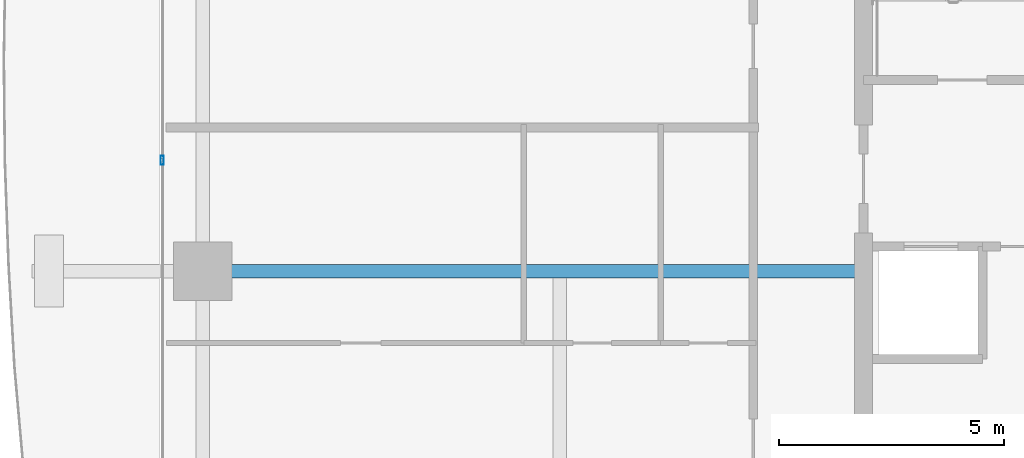
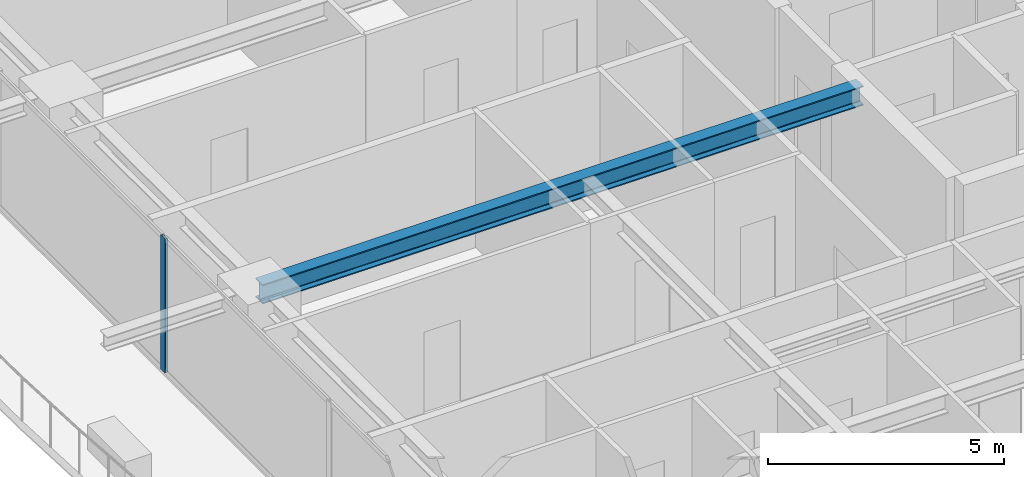
# One storey, part 8 of 39: 1 beam, 1 member, 1 element without a shape of its own.
"""IFC4 building model written with IfcOpenShell, lengths in metres."""

from ifc_helpers import new_model, si_unit, direction, frame, origin, origin_2d, place, context, subcontext, project, spatial, hollow_rectangle, i_section, extrude, source, transform, mapped, material, layer, layer_set, material_profile, profile_set, type_object, element, aggregate, save


model = new_model("IFC4")

# Units and contexts
model_context = context("Model", 3, precision=1e-05, world=origin(), true_north=direction((0.0, 1.0)))
body_context = subcontext(model_context, "Body", "Model", "MODEL_VIEW")
ifc_project = project(units=[si_unit("LENGTHUNIT", "METRE"), si_unit("AREAUNIT", "SQUARE_METRE"), si_unit("VOLUMEUNIT", "CUBIC_METRE"), si_unit("PLANEANGLEUNIT", "RADIAN"), si_unit("MASSUNIT", "GRAM", prefix="KILO")], contexts=[model_context])

# Site, building, storey
site_placement = place(None, origin())
site = spatial("IfcSite", under=ifc_project, at=site_placement, CompositionType="ELEMENT")
building_placement = place(site_placement, origin())
building = spatial("IfcBuilding", under=site, at=building_placement, Name="Serunith Strait Residences", CompositionType="ELEMENT")
storey_placement = place(building_placement, frame((0.0, 0.0, 123.89990234375)))
storey = spatial("IfcBuildingStorey", under=building, at=storey_placement, Name="L30", CompositionType="ELEMENT", Elevation=123.89990234375)

# Beam
ifc_material_1 = material(Name="Steel S355J2", Category="steel")
ifc_material_profile_1 = material_profile(ifc_material_1, i_section(OverallWidth=0.300048828125, OverallDepth=0.5, WebThickness=0.014404296875, FlangeThickness=0.028076171875, FilletRadius=0.027099609375, at=origin_2d()), Name="HEB 500")
ifc_profile_set_1 = profile_set([ifc_material_profile_1], Name="Steel S355J2")
beam_type = type_object("IfcBeamType", Name="BM-HEB500", PredefinedType="BEAM", material=ifc_profile_set_1)
shared_shape_1 = source(origin(), body_context, "Body", "SweptSolid", [
    extrude(i_section(OverallWidth=0.300048828125, OverallDepth=0.5, WebThickness=0.014404296875, FlangeThickness=0.028076171875, FilletRadius=0.027099609375, at=origin_2d()), origin(), (0.0, 0.0, 1.0), 14.699951171875),
])
beam_placement = place(storey_placement, frame((23.39990234375, 21.0, 3.237060546875), z_axis=(-1.0, 0.0, 0.0), x_axis=(0.0, -1.0, 0.0)))
element("IfcBeam", 1, at=beam_placement, inside=storey, type_object=beam_type, Name="L30 Primary Floor Girder TC-W2", PredefinedType="BEAM", context=body_context, shape_type="MappedRepresentation", body=[
    mapped(shared_shape_1, transform((0.0, 0.0, 0.0), scale=1.0)),
])

# Curtain wall, member
ifc_material_2 = material(Name="Pale-Champagne Anodised Aluminium", Category="aluminium")
ifc_layer = layer(ifc_material_2, 0.199951171875, Name="Pale-Champagne Anodised Aluminium")
ifc_layer_set = layer_set([ifc_layer], Name="Pale-Champagne Anodised Aluminium")
curtain_wall_type = type_object("IfcCurtainWallType", Name="CW-SYS2", PredefinedType="NOTDEFINED", material=ifc_layer_set)
curtain_wall_placement = place(storey_placement, origin())
curtain_wall = element("IfcCurtainWall", 2, at=curtain_wall_placement, inside=storey, type_object=curtain_wall_type, Name="L30 W Unitised Fritted Curtain Wall", PredefinedType="NOTDEFINED")
ifc_material_profile_2 = material_profile(ifc_material_2, hollow_rectangle(XDim=0.070068359375, YDim=0.199951171875, WallThickness=0.00390625, InnerFilletRadius=0.006103515625, OuterFilletRadius=0.010009765625, at=origin_2d()), Name="ALU 200x70x4")
ifc_profile_set_2 = profile_set([ifc_material_profile_2], Name="Pale-Champagne Anodised Aluminium")
member_type = type_object("IfcMemberType", Name="CW-SYS2-MULL", PredefinedType="MULLION", material=ifc_profile_set_2)
shared_shape_2 = source(origin(), body_context, "Body", "SweptSolid", [
    extrude(hollow_rectangle(XDim=0.070068359375, YDim=0.199951171875, WallThickness=0.00390625, InnerFilletRadius=0.006103515625, OuterFilletRadius=0.010009765625, at=origin_2d()), origin(), (0.0, 0.0, 1.0), 3.47509765625),
])
member_placement = place(storey_placement, frame((7.800048828125, 23.466552734375, 0.0), z_axis=(0.0, 0.0, 1.0), x_axis=(1.0, 0.0, 0.0)))
member = element("IfcMember", 3, at=member_placement, type_object=member_type, Name="CW-2 mullion 2", PredefinedType="MULLION", context=body_context, shape_type="MappedRepresentation", body=[
    mapped(shared_shape_2, transform((0.0, 0.0, 0.0), scale=1.0)),
])
aggregate(curtain_wall, [member])

save(model, "model.ifc")
